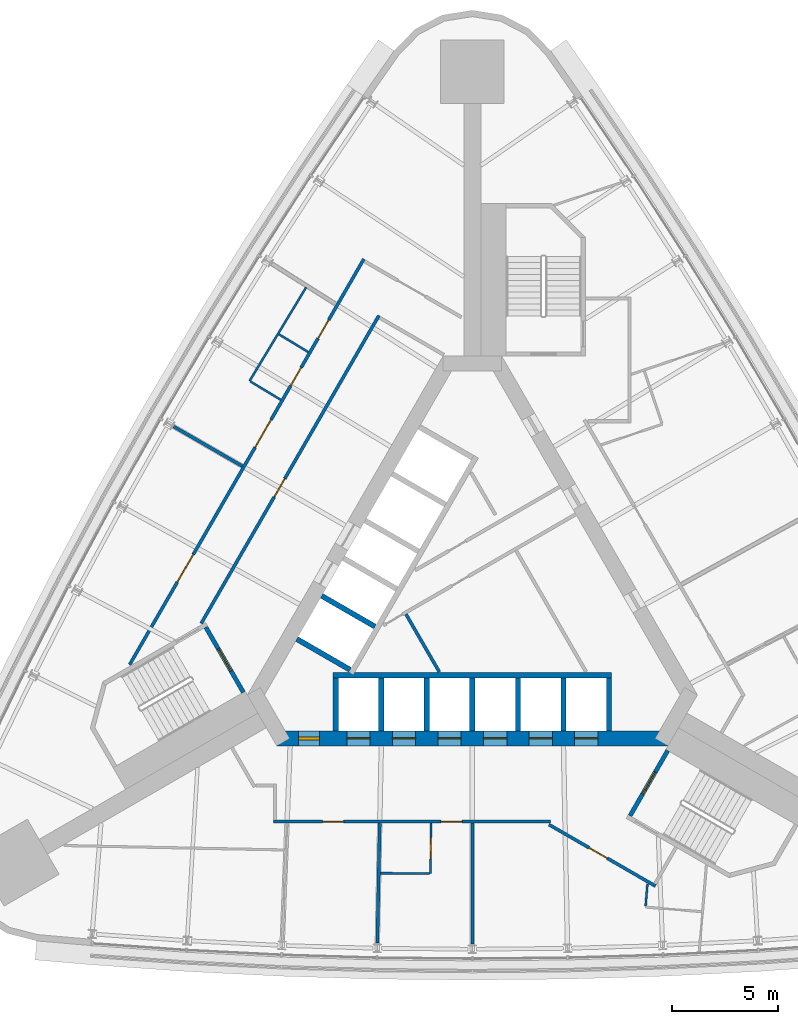
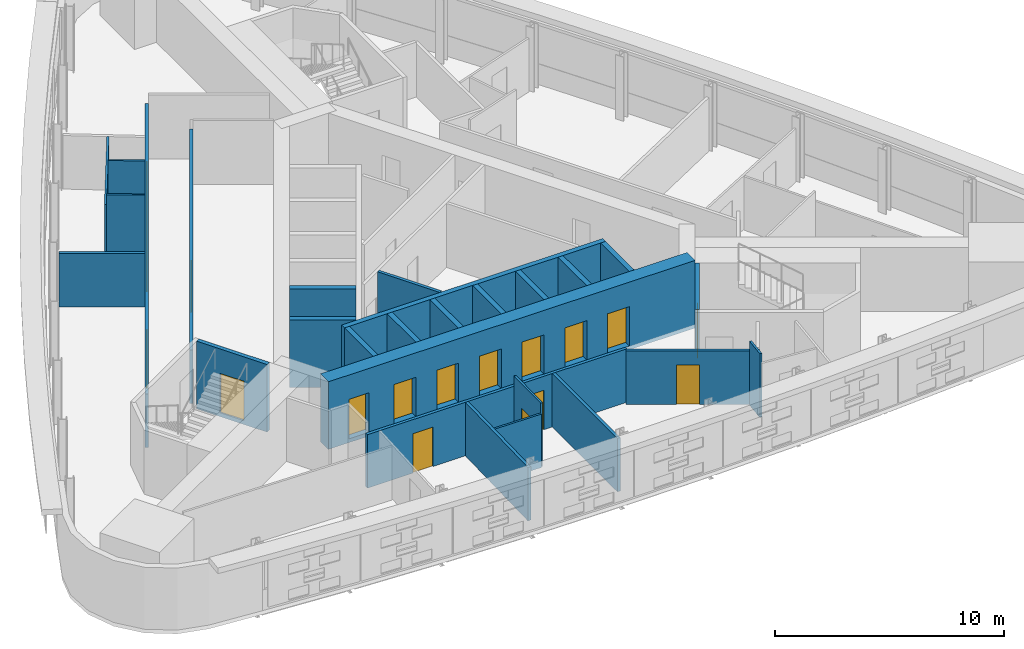
# One storey, part 7 of 11: 27 walls, 18 doors, 18 openings.
"""IFC4 building model written with IfcOpenShell, lengths in metres."""

from ifc_helpers import new_model, si_unit, direction, frame, frame_2d, origin, place, context, subcontext, project, spatial, rectangle, extrude, material, layer, layer_set, type_object, element, fill, save


model = new_model("IFC4")

# Units and contexts
model_context = context("Model", 3, precision=1e-05, world=origin(), true_north=direction((0.0, 1.0)))
body_context = subcontext(model_context, "Body", "Model", "MODEL_VIEW")
ifc_project = project(units=[si_unit("LENGTHUNIT", "METRE"), si_unit("AREAUNIT", "SQUARE_METRE"), si_unit("VOLUMEUNIT", "CUBIC_METRE"), si_unit("PLANEANGLEUNIT", "RADIAN"), si_unit("MASSUNIT", "GRAM", prefix="KILO")], contexts=[model_context])

# Site, building, storey
site_placement = place(None, origin())
site = spatial("IfcSite", under=ifc_project, at=site_placement, CompositionType="ELEMENT")
building_placement = place(site_placement, origin())
building = spatial("IfcBuilding", under=site, at=building_placement, Name="Noor Cloister Tower", CompositionType="ELEMENT")
storey_placement = place(building_placement, frame((0.0, 0.0, 109.5)))
storey = spatial("IfcBuildingStorey", under=building, at=storey_placement, Name="L28", CompositionType="ELEMENT", Elevation=109.5)

# Wall
ifc_material_1 = material(Name="Concrete C30/37", Category="concrete")
ifc_layer_1 = layer(ifc_material_1, 0.14990234375)
ifc_layer_set_1 = layer_set([ifc_layer_1], Name="Core partition 150 C30/37")
wall_type_1 = type_object("IfcWallType", Name="Core partition 150 C30/37", PredefinedType="PARTITIONING", material=ifc_layer_set_1)
wall_1_placement = place(storey_placement, frame((-1.561279296875, -3.439208984375, 0.0), z_axis=(0.0, 0.0, 1.0), x_axis=(-0.499989077369, 0.866031709877, 0.0)))
element("IfcWall", 1, at=wall_1_placement, inside=storey, type_object=wall_type_1, Name="Core room partition L28 3", PredefinedType="PARTITIONING", context=body_context, shape_type="SweptSolid", body=[
    extrude(rectangle(XDim=3.14404296875, YDim=0.14990234375, at=frame_2d((1.572021484375, 0.0))), origin(), (0.0, 0.0, 1.0), 3.39990234375),
])

# Wall, openings, doors
ifc_material_2 = material(Name="Concrete C80/95", Category="concrete")
ifc_layer_2 = layer(ifc_material_2, 0.699951171875)
ifc_layer_set_2 = layer_set([ifc_layer_2], Name="Core wall 700 C80/95")
wall_type_2 = type_object("IfcWallType", Name="Core wall 700 C80/95", PredefinedType="SHEAR", material=ifc_layer_set_2)
wall_2_placement = place(storey_placement, frame((-9.228759765625, -6.578125, -0.199951171875), z_axis=(0.0, 0.0, 1.0), x_axis=(1.0, 0.0, 0.0)))
wall_2 = element("IfcWall", 2, at=wall_2_placement, inside=storey, type_object=wall_type_2, Name="Core wall L28 1", PredefinedType="SHEAR", context=body_context, shape_type="SweptSolid", body=[
    extrude(rectangle(XDim=18.45751953125, YDim=0.699951171875, at=frame_2d((9.228759765625, 0.0))), origin(), (0.0, 0.0, 1.0), 3.599853515625),
])
opening_1_placement = place(wall_2_placement, frame((3.3037109375, 0.0, 0.199951171875)))
opening_1 = element("IfcOpeningElement", 3, at=opening_1_placement, cuts=wall_2, Name="Opening L28-LR1", PredefinedType="OPENING", context=body_context, shape_type="SweptSolid", body=[
    extrude(rectangle(XDim=1.10009765625, YDim=2.10009765625, at=frame_2d((0.550048828125, 1.050048828125))), frame((0.0, 0.35986328125, 0.0), z_axis=(0.0, -1.0, 0.0), x_axis=(1.0, 0.0, 0.0)), (0.0, 0.0, 1.0), 0.719970703125),
])
opening_2_placement = place(wall_2_placement, frame((5.45361328125, 0.0, 0.199951171875)))
opening_2 = element("IfcOpeningElement", 4, at=opening_2_placement, cuts=wall_2, Name="Opening L28-LR2", PredefinedType="OPENING", context=body_context, shape_type="SweptSolid", body=[
    extrude(rectangle(XDim=1.10009765625, YDim=2.10009765625, at=frame_2d((0.550048828125, 1.050048828125))), frame((0.0, 0.35986328125, 0.0), z_axis=(0.0, -1.0, 0.0), x_axis=(1.0, 0.0, 0.0)), (0.0, 0.0, 1.0), 0.719970703125),
])
opening_3_placement = place(wall_2_placement, frame((7.603759765625, 0.0, 0.199951171875)))
opening_3 = element("IfcOpeningElement", 5, at=opening_3_placement, cuts=wall_2, Name="Opening L28-LR3", PredefinedType="OPENING", context=body_context, shape_type="SweptSolid", body=[
    extrude(rectangle(XDim=1.10009765625, YDim=2.10009765625, at=frame_2d((0.550048828125, 1.050048828125))), frame((0.0, 0.35986328125, 0.0), z_axis=(0.0, -1.0, 0.0), x_axis=(1.0, 0.0, 0.0)), (0.0, 0.0, 1.0), 0.719970703125),
])
opening_4_placement = place(wall_2_placement, frame((9.753662109375, 0.0, 0.199951171875)))
opening_4 = element("IfcOpeningElement", 6, at=opening_4_placement, cuts=wall_2, Name="Opening L28-LR4", PredefinedType="OPENING", context=body_context, shape_type="SweptSolid", body=[
    extrude(rectangle(XDim=1.10009765625, YDim=2.10009765625, at=frame_2d((0.550048828125, 1.050048828125))), frame((0.0, 0.35986328125, 0.0), z_axis=(0.0, -1.0, 0.0), x_axis=(1.0, 0.0, 0.0)), (0.0, 0.0, 1.0), 0.719970703125),
])
opening_5_placement = place(wall_2_placement, frame((11.90380859375, 0.0, 0.199951171875)))
opening_5 = element("IfcOpeningElement", 7, at=opening_5_placement, cuts=wall_2, Name="Opening L28-LR5", PredefinedType="OPENING", context=body_context, shape_type="SweptSolid", body=[
    extrude(rectangle(XDim=1.10009765625, YDim=2.10009765625, at=frame_2d((0.550048828125, 1.050048828125))), frame((0.0, 0.35986328125, 0.0), z_axis=(0.0, -1.0, 0.0), x_axis=(1.0, 0.0, 0.0)), (0.0, 0.0, 1.0), 0.719970703125),
])
opening_6_placement = place(wall_2_placement, frame((14.0537109375, 0.0, 0.199951171875)))
opening_6 = element("IfcOpeningElement", 8, at=opening_6_placement, cuts=wall_2, Name="Opening L28-LR6", PredefinedType="OPENING", context=body_context, shape_type="SweptSolid", body=[
    extrude(rectangle(XDim=1.10009765625, YDim=2.10009765625, at=frame_2d((0.550048828125, 1.050048828125))), frame((0.0, 0.35986328125, 0.0), z_axis=(0.0, -1.0, 0.0), x_axis=(1.0, 0.0, 0.0)), (0.0, 0.0, 1.0), 0.719970703125),
])
opening_7_placement = place(wall_2_placement, frame((1.02880859375, 0.0, 0.199951171875)))
opening_7 = element("IfcOpeningElement", 9, at=opening_7_placement, cuts=wall_2, Name="Opening L28-907", PredefinedType="OPENING", context=body_context, shape_type="SweptSolid", body=[
    extrude(rectangle(XDim=1.0, YDim=2.10009765625, at=frame_2d((0.5, 1.050048828125))), frame((0.0, 0.35986328125, 0.0), z_axis=(0.0, -1.0, 0.0), x_axis=(1.0, 0.0, 0.0)), (0.0, 0.0, 1.0), 0.719970703125),
])
ifc_material_3 = material(Name="Steel", Category="steel")
door_type_1 = type_object("IfcDoorType", Name="Core door 1000 x 2100 FD60", OperationType="SINGLE_SWING_LEFT", PredefinedType="DOOR", material=ifc_material_3)
door_1_placement = place(opening_7_placement, origin())
door_1 = element("IfcDoor", 10, at=door_1_placement, inside=storey, type_object=door_type_1, Name="Core door 7 L28", OperationType="SINGLE_SWING_LEFT", OverallHeight=2.10009765625, OverallWidth=1.0, PredefinedType="DOOR", context=body_context, shape_type="SweptSolid", body=[
    extrude(rectangle(XDim=1.0, YDim=2.10009765625, at=frame_2d((0.5, 1.050048828125))), frame((0.0, 0.074951171875, 0.0), z_axis=(0.0, -1.0, 0.0), x_axis=(1.0, 0.0, 0.0)), (0.0, 0.0, 1.0), 0.14990234375),
])
fill(opening_7, door_1)
ifc_material_4 = material(Name="Stainless steel", Category="steel")
door_type_2 = type_object("IfcDoorType", Name="Lift landing door 1100 x 2100", OperationType="DOUBLE_DOOR_SLIDING", PredefinedType="DOOR", material=ifc_material_4)
door_2_placement = place(opening_1_placement, origin())
door_2 = element("IfcDoor", 11, at=door_2_placement, inside=storey, type_object=door_type_2, Name="Landing door LR1 L28", OperationType="DOUBLE_DOOR_SLIDING", OverallHeight=2.10009765625, OverallWidth=1.10009765625, PredefinedType="DOOR", context=body_context, shape_type="SweptSolid", body=[
    extrude(rectangle(XDim=1.10009765625, YDim=2.10009765625, at=frame_2d((0.550048828125, 1.050048828125))), frame((0.0, 0.02490234375, 0.0), z_axis=(0.0, -1.0, 0.0), x_axis=(1.0, 0.0, 0.0)), (0.0, 0.0, 1.0), 0.050048828125),
])
fill(opening_1, door_2)
door_3_placement = place(opening_2_placement, origin())
door_3 = element("IfcDoor", 12, at=door_3_placement, inside=storey, type_object=door_type_2, Name="Landing door LR2 L28", OperationType="DOUBLE_DOOR_SLIDING", OverallHeight=2.10009765625, OverallWidth=1.10009765625, PredefinedType="DOOR", context=body_context, shape_type="SweptSolid", body=[
    extrude(rectangle(XDim=1.10009765625, YDim=2.10009765625, at=frame_2d((0.550048828125, 1.050048828125))), frame((0.0, 0.02490234375, 0.0), z_axis=(0.0, -1.0, 0.0), x_axis=(1.0, 0.0, 0.0)), (0.0, 0.0, 1.0), 0.050048828125),
])
fill(opening_2, door_3)
door_4_placement = place(opening_3_placement, origin())
door_4 = element("IfcDoor", 13, at=door_4_placement, inside=storey, type_object=door_type_2, Name="Landing door LR3 L28", OperationType="DOUBLE_DOOR_SLIDING", OverallHeight=2.10009765625, OverallWidth=1.10009765625, PredefinedType="DOOR", context=body_context, shape_type="SweptSolid", body=[
    extrude(rectangle(XDim=1.10009765625, YDim=2.10009765625, at=frame_2d((0.550048828125, 1.050048828125))), frame((0.0, 0.02490234375, 0.0), z_axis=(0.0, -1.0, 0.0), x_axis=(1.0, 0.0, 0.0)), (0.0, 0.0, 1.0), 0.050048828125),
])
fill(opening_3, door_4)
door_5_placement = place(opening_4_placement, origin())
door_5 = element("IfcDoor", 14, at=door_5_placement, inside=storey, type_object=door_type_2, Name="Landing door LR4 L28", OperationType="DOUBLE_DOOR_SLIDING", OverallHeight=2.10009765625, OverallWidth=1.10009765625, PredefinedType="DOOR", context=body_context, shape_type="SweptSolid", body=[
    extrude(rectangle(XDim=1.10009765625, YDim=2.10009765625, at=frame_2d((0.550048828125, 1.050048828125))), frame((0.0, 0.02490234375, 0.0), z_axis=(0.0, -1.0, 0.0), x_axis=(1.0, 0.0, 0.0)), (0.0, 0.0, 1.0), 0.050048828125),
])
fill(opening_4, door_5)
door_6_placement = place(opening_5_placement, origin())
door_6 = element("IfcDoor", 15, at=door_6_placement, inside=storey, type_object=door_type_2, Name="Landing door LR5 L28", OperationType="DOUBLE_DOOR_SLIDING", OverallHeight=2.10009765625, OverallWidth=1.10009765625, PredefinedType="DOOR", context=body_context, shape_type="SweptSolid", body=[
    extrude(rectangle(XDim=1.10009765625, YDim=2.10009765625, at=frame_2d((0.550048828125, 1.050048828125))), frame((0.0, 0.02490234375, 0.0), z_axis=(0.0, -1.0, 0.0), x_axis=(1.0, 0.0, 0.0)), (0.0, 0.0, 1.0), 0.050048828125),
])
fill(opening_5, door_6)
door_7_placement = place(opening_6_placement, origin())
door_7 = element("IfcDoor", 16, at=door_7_placement, inside=storey, type_object=door_type_2, Name="Landing door LR6 L28", OperationType="DOUBLE_DOOR_SLIDING", OverallHeight=2.10009765625, OverallWidth=1.10009765625, PredefinedType="DOOR", context=body_context, shape_type="SweptSolid", body=[
    extrude(rectangle(XDim=1.10009765625, YDim=2.10009765625, at=frame_2d((0.550048828125, 1.050048828125))), frame((0.0, 0.02490234375, 0.0), z_axis=(0.0, -1.0, 0.0), x_axis=(1.0, 0.0, 0.0)), (0.0, 0.0, 1.0), 0.050048828125),
])
fill(opening_6, door_7)

# Wall, opening, door
ifc_material_5 = material(Name="Fire-rated gypsum board partition on steel studs, 150 mm", Category="steel")
ifc_layer_3 = layer(ifc_material_5, 0.14990234375)
ifc_layer_set_3 = layer_set([ifc_layer_3], Name="Fire lobby wall 150")
wall_type_3 = type_object("IfcWallType", Name="Fire lobby wall 150", PredefinedType="PARTITIONING", material=ifc_layer_set_3)
wall_3_placement = place(storey_placement, frame((-4.40673828125, 13.373779296875, 0.0), z_axis=(0.0, 0.0, 1.0), x_axis=(-0.499997181693, -0.866027030928, 0.0)))
wall_3 = element("IfcWall", 17, at=wall_3_placement, inside=storey, type_object=wall_type_3, Name="Fire lobby wall 150 L28 002", PredefinedType="PARTITIONING", context=body_context, shape_type="SweptSolid", body=[
    extrude(rectangle(XDim=16.76953125, YDim=0.14990234375, at=frame_2d((8.384765625, 0.0))), origin(), (0.0, 0.0, 1.0), 2.846923828125),
])
opening_8_placement = place(wall_3_placement, frame((8.878662109375, 0.0, 0.0)))
opening_8 = element("IfcOpeningElement", 18, at=opening_8_placement, cuts=wall_3, Name="Opening L28-005", PredefinedType="OPENING", context=body_context, shape_type="SweptSolid", body=[
    extrude(rectangle(XDim=1.0, YDim=2.10009765625, at=frame_2d((0.5, 1.050048828125))), frame((0.0, 0.0849609375, 0.0), z_axis=(0.0, -1.0, 0.0), x_axis=(1.0, 0.0, 0.0)), (0.0, 0.0, 1.0), 0.169921875),
])
ifc_material_6 = material(Name="Timber door leaf with steel frame", Category="steel")
door_type_3 = type_object("IfcDoorType", Name="Fire lobby door 1000", OperationType="NOTDEFINED", PredefinedType="DOOR", material=ifc_material_6)
door_8_placement = place(opening_8_placement, origin())
door_8 = element("IfcDoor", 19, at=door_8_placement, inside=storey, type_object=door_type_3, Name="Fire lobby door 1000 L28-005", OperationType="SINGLE_SWING_RIGHT", OverallHeight=2.10009765625, OverallWidth=1.0, PredefinedType="DOOR", context=body_context, shape_type="SweptSolid", body=[
    extrude(rectangle(XDim=1.0, YDim=2.10009765625, at=frame_2d((0.5, 1.050048828125))), frame((0.0, 0.02490234375, 0.0), z_axis=(0.0, -1.0, 0.0), x_axis=(1.0, 0.0, 0.0)), (0.0, 0.0, 1.0), 0.050048828125),
])
fill(opening_8, door_8)

# Wall, openings, doors
ifc_material_7 = material(Name="Gypsum board partition on steel studs, 150 mm", Category="steel")
ifc_layer_4 = layer(ifc_material_7, 0.14990234375)
ifc_layer_set_4 = layer_set([ifc_layer_4], Name="Flat wall 150")
wall_type_4 = type_object("IfcWallType", Name="Flat wall 150", PredefinedType="PARTITIONING", material=ifc_layer_set_4)
wall_4_placement = place(storey_placement, frame((-16.1689453125, -3.09912109375, 0.0), z_axis=(0.0, 0.0, 1.0), x_axis=(0.499999805269, 0.866025516212, 0.0)))
wall_4 = element("IfcWall", 20, at=wall_4_placement, inside=storey, type_object=wall_type_4, Name="Flat wall 150 L28 001", PredefinedType="PARTITIONING", context=body_context, shape_type="SweptSolid", body=[
    extrude(rectangle(XDim=22.09716796875, YDim=0.14990234375, at=frame_2d((11.048583984375, 0.0))), origin(), (0.0, 0.0, 1.0), 2.846923828125),
])
opening_9_placement = place(wall_4_placement, frame((17.77587890625, 0.0, 0.0)))
opening_9 = element("IfcOpeningElement", 21, at=opening_9_placement, cuts=wall_4, Name="Opening L28-001", PredefinedType="OPENING", context=body_context, shape_type="SweptSolid", body=[
    extrude(rectangle(XDim=1.0, YDim=2.10009765625, at=frame_2d((0.5, 1.050048828125))), frame((0.0, 0.0849609375, 0.0), z_axis=(0.0, -1.0, 0.0), x_axis=(1.0, 0.0, 0.0)), (0.0, 0.0, 1.0), 0.169921875),
])
opening_10_placement = place(wall_4_placement, frame((15.186279296875, 0.0, 0.0)))
opening_10 = element("IfcOpeningElement", 22, at=opening_10_placement, cuts=wall_4, Name="Opening L28-002", PredefinedType="OPENING", context=body_context, shape_type="SweptSolid", body=[
    extrude(rectangle(XDim=1.0, YDim=2.10009765625, at=frame_2d((0.5, 1.050048828125))), frame((0.0, 0.0849609375, 0.0), z_axis=(0.0, -1.0, 0.0), x_axis=(1.0, 0.0, 0.0)), (0.0, 0.0, 1.0), 0.169921875),
])
opening_11_placement = place(wall_4_placement, frame((11.83984375, 0.0, 0.0)))
opening_11 = element("IfcOpeningElement", 23, at=opening_11_placement, cuts=wall_4, Name="Opening L28-003", PredefinedType="OPENING", context=body_context, shape_type="SweptSolid", body=[
    extrude(rectangle(XDim=1.5, YDim=2.10009765625, at=frame_2d((0.75, 1.050048828125))), frame((0.0, 0.0849609375, 0.0), z_axis=(0.0, -1.0, 0.0), x_axis=(1.0, 0.0, 0.0)), (0.0, 0.0, 1.0), 0.169921875),
])
opening_12_placement = place(wall_4_placement, frame((4.50341796875, 0.0, 0.0)))
opening_12 = element("IfcOpeningElement", 24, at=opening_12_placement, cuts=wall_4, Name="Opening L28-004", PredefinedType="OPENING", context=body_context, shape_type="SweptSolid", body=[
    extrude(rectangle(XDim=1.5, YDim=2.10009765625, at=frame_2d((0.75, 1.050048828125))), frame((0.0, 0.0849609375, 0.0), z_axis=(0.0, -1.0, 0.0), x_axis=(1.0, 0.0, 0.0)), (0.0, 0.0, 1.0), 0.169921875),
])
ifc_material_8 = material(Name="Timber door leaf with steel frame", Category="steel")
door_type_4 = type_object("IfcDoorType", Name="Accessible WC door 1000", OperationType="NOTDEFINED", PredefinedType="DOOR", material=ifc_material_8)
door_9_placement = place(opening_9_placement, origin())
door_9 = element("IfcDoor", 25, at=door_9_placement, inside=storey, type_object=door_type_4, Name="Accessible WC door 1000 L28-001", OperationType="SINGLE_SWING_RIGHT", OverallHeight=2.10009765625, OverallWidth=1.0, PredefinedType="DOOR", context=body_context, shape_type="SweptSolid", body=[
    extrude(rectangle(XDim=1.0, YDim=2.10009765625, at=frame_2d((0.5, 1.050048828125))), frame((0.0, 0.02490234375, 0.0), z_axis=(0.0, -1.0, 0.0), x_axis=(1.0, 0.0, 0.0)), (0.0, 0.0, 1.0), 0.050048828125),
])
fill(opening_9, door_9)
ifc_material_9 = material(Name="Timber door leaf with steel frame", Category="steel")
door_type_5 = type_object("IfcDoorType", Name="Double door 1500 FD60", OperationType="NOTDEFINED", PredefinedType="DOOR", material=ifc_material_9)
door_10_placement = place(opening_11_placement, origin())
door_10 = element("IfcDoor", 26, at=door_10_placement, inside=storey, type_object=door_type_5, Name="Double door 1500 L28-003", OperationType="DOUBLE_DOOR_SINGLE_SWING", OverallHeight=2.10009765625, OverallWidth=1.5, PredefinedType="DOOR", context=body_context, shape_type="SweptSolid", body=[
    extrude(rectangle(XDim=1.5, YDim=2.10009765625, at=frame_2d((0.75, 1.050048828125))), frame((0.0, 0.02490234375, 0.0), z_axis=(0.0, -1.0, 0.0), x_axis=(1.0, 0.0, 0.0)), (0.0, 0.0, 1.0), 0.050048828125),
])
fill(opening_11, door_10)
door_11_placement = place(opening_12_placement, origin())
door_11 = element("IfcDoor", 27, at=door_11_placement, inside=storey, type_object=door_type_5, Name="Double door 1500 L28-004", OperationType="DOUBLE_DOOR_SINGLE_SWING", OverallHeight=2.10009765625, OverallWidth=1.5, PredefinedType="DOOR", context=body_context, shape_type="SweptSolid", body=[
    extrude(rectangle(XDim=1.5, YDim=2.10009765625, at=frame_2d((0.75, 1.050048828125))), frame((0.0, 0.02490234375, 0.0), z_axis=(0.0, -1.0, 0.0), x_axis=(1.0, 0.0, 0.0)), (0.0, 0.0, 1.0), 0.050048828125),
])
fill(opening_12, door_11)
ifc_material_10 = material(Name="Timber door leaf with steel frame", Category="steel")
door_type_6 = type_object("IfcDoorType", Name="Interior door 1000 FD60", OperationType="NOTDEFINED", PredefinedType="DOOR", material=ifc_material_10)
door_12_placement = place(opening_10_placement, origin())
door_12 = element("IfcDoor", 28, at=door_12_placement, inside=storey, type_object=door_type_6, Name="Interior door 1000 L28-002", OperationType="SINGLE_SWING_RIGHT", OverallHeight=2.10009765625, OverallWidth=1.0, PredefinedType="DOOR", context=body_context, shape_type="SweptSolid", body=[
    extrude(rectangle(XDim=1.0, YDim=2.10009765625, at=frame_2d((0.5, 1.050048828125))), frame((0.0, 0.02490234375, 0.0), z_axis=(0.0, -1.0, 0.0), x_axis=(1.0, 0.0, 0.0)), (0.0, 0.0, 1.0), 0.050048828125),
])
fill(opening_10, door_12)

wall_5_placement = place(storey_placement, frame((3.68896484375, -10.503173828125, 0.0), z_axis=(0.0, 0.0, 1.0), x_axis=(-1.0, 0.0, 0.0)))
wall_5 = element("IfcWall", 29, at=wall_5_placement, inside=storey, type_object=wall_type_4, Name="Flat wall 150 L28 004", PredefinedType="PARTITIONING", context=body_context, shape_type="SweptSolid", body=[
    extrude(rectangle(XDim=13.067626953125, YDim=0.14990234375, at=frame_2d((6.53369140625, 0.0))), origin(), (0.0, 0.0, 1.0), 2.846923828125),
])
opening_13_placement = place(wall_5_placement, frame((9.75830078125, 0.0, 0.0)))
opening_13 = element("IfcOpeningElement", 30, at=opening_13_placement, cuts=wall_5, Name="Opening L28-008", PredefinedType="OPENING", context=body_context, shape_type="SweptSolid", body=[
    extrude(rectangle(XDim=1.0, YDim=2.10009765625, at=frame_2d((0.5, 1.050048828125))), frame((0.0, 0.0849609375, 0.0), z_axis=(0.0, -1.0, 0.0), x_axis=(1.0, 0.0, 0.0)), (0.0, 0.0, 1.0), 0.169921875),
])
opening_14_placement = place(wall_5_placement, frame((4.177490234375, 0.0, 0.0)))
opening_14 = element("IfcOpeningElement", 31, at=opening_14_placement, cuts=wall_5, Name="Opening L28-009", PredefinedType="OPENING", context=body_context, shape_type="SweptSolid", body=[
    extrude(rectangle(XDim=1.0, YDim=2.10009765625, at=frame_2d((0.5, 1.050048828125))), frame((0.0, 0.0849609375, 0.0), z_axis=(0.0, -1.0, 0.0), x_axis=(1.0, 0.0, 0.0)), (0.0, 0.0, 1.0), 0.169921875),
])
ifc_material_11 = material(Name="Timber door leaf with steel frame", Category="steel")
door_type_7 = type_object("IfcDoorType", Name="Flat entrance door 1000 FD60S", OperationType="NOTDEFINED", PredefinedType="DOOR", material=ifc_material_11)
door_13_placement = place(opening_13_placement, origin())
door_13 = element("IfcDoor", 32, at=door_13_placement, inside=storey, type_object=door_type_7, Name="Flat entrance door 1000 L28-008", OperationType="SINGLE_SWING_RIGHT", OverallHeight=2.10009765625, OverallWidth=1.0, PredefinedType="DOOR", context=body_context, shape_type="SweptSolid", body=[
    extrude(rectangle(XDim=1.0, YDim=2.10009765625, at=frame_2d((0.5, 1.050048828125))), frame((0.0, 0.02490234375, 0.0), z_axis=(0.0, -1.0, 0.0), x_axis=(1.0, 0.0, 0.0)), (0.0, 0.0, 1.0), 0.050048828125),
])
fill(opening_13, door_13)
door_14_placement = place(opening_14_placement, origin())
door_14 = element("IfcDoor", 33, at=door_14_placement, inside=storey, type_object=door_type_7, Name="Flat entrance door 1000 L28-009", OperationType="SINGLE_SWING_LEFT", OverallHeight=2.10009765625, OverallWidth=1.0, PredefinedType="DOOR", context=body_context, shape_type="SweptSolid", body=[
    extrude(rectangle(XDim=1.0, YDim=2.10009765625, at=frame_2d((0.5, 1.050048828125))), frame((0.0, 0.02490234375, 0.0), z_axis=(0.0, -1.0, 0.0), x_axis=(1.0, 0.0, 0.0)), (0.0, 0.0, 1.0), 0.050048828125),
])
fill(opening_14, door_14)

# Wall, opening, door
wall_6_placement = place(storey_placement, frame((8.64111328125, -13.5458984375, 0.0), z_axis=(0.0, 0.0, 1.0), x_axis=(-0.866042728627, 0.499969991291, 0.0)))
wall_6 = element("IfcWall", 34, at=wall_6_placement, inside=storey, type_object=wall_type_4, Name="Flat wall 150 L28 005", PredefinedType="PARTITIONING", context=body_context, shape_type="SweptSolid", body=[
    extrude(rectangle(XDim=5.805419921875, YDim=0.14990234375, at=frame_2d((2.90283203125, 0.0))), origin(), (0.0, 0.0, 1.0), 2.846923828125),
])
opening_15_placement = place(wall_6_placement, frame((2.6162109375, 0.0, 0.0)))
opening_15 = element("IfcOpeningElement", 35, at=opening_15_placement, cuts=wall_6, Name="Opening L28-010", PredefinedType="OPENING", context=body_context, shape_type="SweptSolid", body=[
    extrude(rectangle(XDim=1.0, YDim=2.10009765625, at=frame_2d((0.5, 1.050048828125))), frame((0.0, 0.0849609375, 0.0), z_axis=(0.0, -1.0, 0.0), x_axis=(1.0, 0.0, 0.0)), (0.0, 0.0, 1.0), 0.169921875),
])
door_15_placement = place(opening_15_placement, origin())
door_15 = element("IfcDoor", 36, at=door_15_placement, inside=storey, type_object=door_type_7, Name="Flat entrance door 1000 L28-010", OperationType="SINGLE_SWING_RIGHT", OverallHeight=2.10009765625, OverallWidth=1.0, PredefinedType="DOOR", context=body_context, shape_type="SweptSolid", body=[
    extrude(rectangle(XDim=1.0, YDim=2.10009765625, at=frame_2d((0.5, 1.050048828125))), frame((0.0, 0.02490234375, 0.0), z_axis=(0.0, -1.0, 0.0), x_axis=(1.0, 0.0, 0.0)), (0.0, 0.0, 1.0), 0.050048828125),
])
fill(opening_15, door_15)

# Walls
wall_7_placement = place(storey_placement, frame((0.0, -16.2744140625, 0.0), z_axis=(0.0, 0.0, 1.0), x_axis=(0.0, 1.0, 0.0)))
element("IfcWall", 37, at=wall_7_placement, inside=storey, type_object=wall_type_4, Name="Flat wall 150 L28 017", PredefinedType="PARTITIONING", context=body_context, shape_type="SweptSolid", body=[
    extrude(rectangle(XDim=5.6962890625, YDim=0.14990234375, at=frame_2d((2.84814453125, 0.0))), origin(), (0.0, 0.0, 1.0), 2.846923828125),
])
wall_8_placement = place(storey_placement, frame((-4.483642578125, -16.2294921875, 0.0), z_axis=(0.0, 0.0, 1.0), x_axis=(0.020089281754, 0.999798190016, 0.0)))
element("IfcWall", 38, at=wall_8_placement, inside=storey, type_object=wall_type_4, Name="Flat wall 150 L28 018", PredefinedType="PARTITIONING", context=body_context, shape_type="SweptSolid", body=[
    extrude(rectangle(XDim=5.651123046875, YDim=0.14990234375, at=frame_2d((2.82568359375, 0.0))), origin(), (0.0, 0.0, 1.0), 2.846923828125),
])
wall_9_placement = place(storey_placement, frame((-14.093994140625, 8.13720703125, 0.0), z_axis=(0.0, 0.0, 1.0), x_axis=(0.866036909293, -0.499980071345, 0.0)))
element("IfcWall", 39, at=wall_9_placement, inside=storey, type_object=wall_type_4, Name="Flat wall 150 L28 019", PredefinedType="PARTITIONING", context=body_context, shape_type="SweptSolid", body=[
    extrude(rectangle(XDim=3.746337890625, YDim=0.14990234375, at=frame_2d((1.873046875, 0.0))), origin(), (0.0, 0.0, 1.0), 2.846923828125),
])
ifc_material_12 = material(Name="Gypsum board partition on steel studs, 100 mm", Category="steel")
ifc_layer_5 = layer(ifc_material_12, 0.10009765625)
ifc_layer_set_5 = layer_set([ifc_layer_5], Name="Partition 100")
wall_type_5 = type_object("IfcWallType", Name="Partition 100", PredefinedType="PARTITIONING", material=ifc_layer_set_5)
wall_10_placement = place(storey_placement, frame((-7.842041015625, 14.70166015625, 0.0), z_axis=(0.0, 0.0, 1.0), x_axis=(-0.517269453202, -0.855822594224, 0.0)))
element("IfcWall", 40, at=wall_10_placement, inside=storey, type_object=wall_type_5, Name="Partition 100 L28 025", PredefinedType="PARTITIONING", context=body_context, shape_type="SweptSolid", body=[
    extrude(rectangle(XDim=5.15966796875, YDim=0.10009765625, at=frame_2d((2.579833984375, 0.0))), origin(), (0.0, 0.0, 1.0), 2.846923828125),
])

# Wall, opening, door
wall_11_placement = place(storey_placement, frame((-1.9755859375, -12.959228515625, 0.0), z_axis=(0.0, 0.0, 1.0), x_axis=(0.009947205513, 0.999950525327, 0.0)))
wall_11 = element("IfcWall", 41, at=wall_11_placement, inside=storey, type_object=wall_type_5, Name="Partition 100 L28 033", PredefinedType="PARTITIONING", context=body_context, shape_type="SweptSolid", body=[
    extrude(rectangle(XDim=2.380615234375, YDim=0.10009765625, at=frame_2d((1.1904296875, 0.0))), origin(), (0.0, 0.0, 1.0), 3.39990234375),
])
opening_16_placement = place(wall_11_placement, frame((0.699951171875, 0.0, 0.0)))
opening_16 = element("IfcOpeningElement", 42, at=opening_16_placement, cuts=wall_11, Name="Opening L28-022", PredefinedType="OPENING", context=body_context, shape_type="SweptSolid", body=[
    extrude(rectangle(XDim=1.0, YDim=2.10009765625, at=frame_2d((0.5, 1.050048828125))), frame((0.0, 0.06005859375, 0.0), z_axis=(0.0, -1.0, 0.0), x_axis=(1.0, 0.0, 0.0)), (0.0, 0.0, 1.0), 0.1201171875),
])
ifc_material_13 = material(Name="Timber door leaf with steel frame", Category="steel")
door_type_8 = type_object("IfcDoorType", Name="Interior door 1000", OperationType="NOTDEFINED", PredefinedType="DOOR", material=ifc_material_13)
door_16_placement = place(opening_16_placement, origin())
door_16 = element("IfcDoor", 43, at=door_16_placement, inside=storey, type_object=door_type_8, Name="Interior door 1000 L28-022", OperationType="SINGLE_SWING_RIGHT", OverallHeight=2.10009765625, OverallWidth=1.0, PredefinedType="DOOR", context=body_context, shape_type="SweptSolid", body=[
    extrude(rectangle(XDim=1.0, YDim=2.10009765625, at=frame_2d((0.5, 1.050048828125))), frame((0.0, 0.02490234375, 0.0), z_axis=(0.0, -1.0, 0.0), x_axis=(1.0, 0.0, 0.0)), (0.0, 0.0, 1.0), 0.050048828125),
])
fill(opening_16, door_16)

# Walls
wall_12_placement = place(storey_placement, frame((-4.342041015625, -12.935546875, 0.0), z_axis=(0.0, 0.0, 1.0), x_axis=(0.999949877213, -0.010012145693, 0.0)))
element("IfcWall", 44, at=wall_12_placement, inside=storey, type_object=wall_type_5, Name="Partition 100 L28 034", PredefinedType="PARTITIONING", context=body_context, shape_type="SweptSolid", body=[
    extrude(rectangle(XDim=2.31640625, YDim=0.10009765625, at=frame_2d((1.158203125, 0.0))), origin(), (0.0, 0.0, 1.0), 2.846923828125),
])
wall_13_placement = place(storey_placement, frame((-10.46826171875, 10.260009765625, 0.0), z_axis=(0.0, 0.0, 1.0), x_axis=(0.855795319679, -0.517314576264, 0.0)))
element("IfcWall", 45, at=wall_13_placement, inside=storey, type_object=wall_type_5, Name="Partition 100 L28 035", PredefinedType="PARTITIONING", context=body_context, shape_type="SweptSolid", body=[
    extrude(rectangle(XDim=1.6669921875, YDim=0.10009765625, at=frame_2d((0.83349609375, 0.0))), origin(), (0.0, 0.0, 1.0), 3.39990234375),
])
wall_14_placement = place(storey_placement, frame((-9.123291015625, 12.485107421875, 0.0), z_axis=(0.0, 0.0, 1.0), x_axis=(0.855820717892, -0.517272557581, 0.0)))
element("IfcWall", 46, at=wall_14_placement, inside=storey, type_object=wall_type_5, Name="Partition 100 L28 036", PredefinedType="PARTITIONING", context=body_context, shape_type="SweptSolid", body=[
    extrude(rectangle(XDim=1.61474609375, YDim=0.10009765625, at=frame_2d((0.807373046875, 0.0))), origin(), (0.0, 0.0, 1.0), 3.39990234375),
])
wall_15_placement = place(storey_placement, frame((8.259033203125, -13.4365234375, 0.0), z_axis=(0.0, 0.0, 1.0), x_axis=(-0.082180892167, -0.99661742959, 0.0)))
element("IfcWall", 47, at=wall_15_placement, inside=storey, type_object=wall_type_5, Name="Partition 100 L28 037", PredefinedType="PARTITIONING", context=body_context, shape_type="SweptSolid", body=[
    extrude(rectangle(XDim=1.0517578125, YDim=0.10009765625, at=frame_2d((0.52587890625, 0.0))), origin(), (0.0, 0.0, 1.0), 3.39990234375),
])
ifc_material_14 = material(Name="Concrete C80/95", Category="concrete")
ifc_layer_6 = layer(ifc_material_14, 0.25)
ifc_layer_set_6 = layer_set([ifc_layer_6], Name="Shaft wall 250 C80/95")
wall_type_6 = type_object("IfcWallType", Name="Shaft wall 250 C80/95", PredefinedType="PARTITIONING", material=ifc_layer_set_6)
for number, where, z_axis, x_axis, name in (
    (48, (-6.449951171875, -6.228271484375, -0.199951171875), (0.0, 0.0, 1.0), (0.0, 1.0, 0.0), "Lift shaft wall L28 S 1"),
    (49, (-4.300048828125, -6.228271484375, -0.199951171875), (0.0, 0.0, 1.0), (0.0, 1.0, 0.0), "Lift shaft wall L28 S 2"),
    (50, (-2.14990234375, -6.228271484375, -0.199951171875), (0.0, 0.0, 1.0), (0.0, 1.0, 0.0), "Lift shaft wall L28 S 3"),
    (51, (0.0, -6.228271484375, -0.199951171875), (0.0, 0.0, 1.0), (0.0, 1.0, 0.0), "Lift shaft wall L28 S 4"),
    (52, (2.14990234375, -6.228271484375, -0.199951171875), (0.0, 0.0, 1.0), (0.0, 1.0, 0.0), "Lift shaft wall L28 S 5"),
    (53, (4.300048828125, -6.228271484375, -0.199951171875), (0.0, 0.0, 1.0), (0.0, 1.0, 0.0), "Lift shaft wall L28 S 6"),
    (54, (6.449951171875, -6.228271484375, -0.199951171875), (0.0, 0.0, 1.0), (0.0, 1.0, 0.0), "Lift shaft wall L28 S 7"),
):
    element("IfcWall", number, at=place(storey_placement, frame(where, z_axis=z_axis, x_axis=x_axis)), inside=storey, type_object=wall_type_6, Name=name, PredefinedType="PARTITIONING", context=body_context, shape_type="SweptSolid", body=[
        extrude(rectangle(XDim=2.5, YDim=0.25, at=frame_2d((1.25, 0.0))), origin(), (0.0, 0.0, 1.0), 3.599853515625),
    ])
wall_16_placement = place(storey_placement, frame((-6.574951171875, -3.603271484375, 0.0), z_axis=(0.0, 0.0, 1.0), x_axis=(1.0, 0.0, 0.0)))
element("IfcWall", 55, at=wall_16_placement, inside=storey, type_object=wall_type_6, Name="Lift shaft back wall L28 S", PredefinedType="PARTITIONING", context=body_context, shape_type="SweptSolid", body=[
    extrude(rectangle(XDim=13.14990234375, YDim=0.25, at=frame_2d((6.574951171875, 0.0))), origin(), (0.0, 0.0, 1.0), 3.39990234375),
])
for number, where, z_axis, x_axis, name in (
    (56, (-7.106201171875, 0.14794921875, -0.199951171875), (0.0, 0.0, 1.0), (0.866032775405, -0.499987231761, 0.0), "Lift shaft wall L28 NW 5"),
    (57, (-8.28125, -1.88720703125, -0.199951171875), (0.0, 0.0, 1.0), (0.866032775405, -0.499987231761, 0.0), "Lift shaft wall L28 NW 6"),
):
    element("IfcWall", number, at=place(storey_placement, frame(where, z_axis=z_axis, x_axis=x_axis)), inside=storey, type_object=wall_type_6, Name=name, PredefinedType="PARTITIONING", context=body_context, shape_type="SweptSolid", body=[
        extrude(rectangle(XDim=2.89990234375, YDim=0.25, at=frame_2d((1.449951171875, 0.0))), origin(), (0.0, 0.0, 1.0), 3.599853515625),
    ])

# Wall, opening, door
ifc_material_15 = material(Name="Concrete C80/95", Category="concrete")
ifc_layer_7 = layer(ifc_material_15, 0.199951171875)
ifc_layer_set_7 = layer_set([ifc_layer_7], Name="Stair enclosure wall 200 C80/95")
wall_type_7 = type_object("IfcWallType", Name="Stair enclosure wall 200 C80/95", PredefinedType="SHEAR", material=ifc_layer_set_7)
wall_17_placement = place(storey_placement, frame((-12.575927734375, -1.33056640625, -0.199951171875), z_axis=(0.0, 0.0, 1.0), x_axis=(0.499970499736, -0.8660424351, 0.0)))
wall_17 = element("IfcWall", 58, at=wall_17_placement, inside=storey, type_object=wall_type_7, Name="Stair enclosure wall ST2 L28 near end", PredefinedType="SHEAR", context=body_context, shape_type="SweptSolid", body=[
    extrude(rectangle(XDim=3.550048828125, YDim=0.199951171875, at=frame_2d((1.77490234375, 0.0))), origin(), (0.0, 0.0, 1.0), 3.599853515625),
])
opening_17_placement = place(wall_17_placement, frame((1.175048828125, 0.0, 0.199951171875)))
opening_17 = element("IfcOpeningElement", 59, at=opening_17_placement, cuts=wall_17, Name="Opening L28-ST2L", PredefinedType="OPENING", context=body_context, shape_type="SweptSolid", body=[
    extrude(rectangle(XDim=1.199951171875, YDim=2.10009765625, at=frame_2d((0.60009765625, 1.050048828125))), frame((0.0, 0.10986328125, 0.0), z_axis=(0.0, -1.0, 0.0), x_axis=(1.0, 0.0, 0.0)), (0.0, 0.0, 1.0), 0.219970703125),
])
ifc_material_16 = material(Name="Steel", Category="steel")
door_type_9 = type_object("IfcDoorType", Name="Stair door 1200 x 2100 FD120", OperationType="SINGLE_SWING_LEFT", PredefinedType="DOOR", material=ifc_material_16)
door_17_placement = place(opening_17_placement, origin())
door_17 = element("IfcDoor", 60, at=door_17_placement, inside=storey, type_object=door_type_9, Name="Stair door ST2 L28", OperationType="SINGLE_SWING_RIGHT", OverallHeight=2.10009765625, OverallWidth=1.199951171875, PredefinedType="DOOR", context=body_context, shape_type="SweptSolid", body=[
    extrude(rectangle(XDim=1.199951171875, YDim=2.10009765625, at=frame_2d((0.60009765625, 1.050048828125))), frame((0.0, 0.02490234375, 0.0), z_axis=(0.0, -1.0, 0.0), x_axis=(1.0, 0.0, 0.0)), (0.0, 0.0, 1.0), 0.050048828125),
])
fill(opening_17, door_17)

wall_18_placement = place(storey_placement, frame((7.440185546875, -10.225830078125, -0.199951171875), z_axis=(0.0, 0.0, 1.0), x_axis=(0.500022077904, 0.866012656725, 0.0)))
wall_18 = element("IfcWall", 61, at=wall_18_placement, inside=storey, type_object=wall_type_7, Name="Stair enclosure wall ST3 L28 near end", PredefinedType="SHEAR", context=body_context, shape_type="SweptSolid", body=[
    extrude(rectangle(XDim=3.550048828125, YDim=0.199951171875, at=frame_2d((1.77490234375, 0.0))), origin(), (0.0, 0.0, 1.0), 3.599853515625),
])
opening_18_placement = place(wall_18_placement, frame((1.175048828125, 0.0, 0.199951171875)))
opening_18 = element("IfcOpeningElement", 62, at=opening_18_placement, cuts=wall_18, Name="Opening L28-ST3L", PredefinedType="OPENING", context=body_context, shape_type="SweptSolid", body=[
    extrude(rectangle(XDim=1.199951171875, YDim=2.10009765625, at=frame_2d((0.60009765625, 1.050048828125))), frame((0.0, 0.10986328125, 0.0), z_axis=(0.0, -1.0, 0.0), x_axis=(1.0, 0.0, 0.0)), (0.0, 0.0, 1.0), 0.219970703125),
])
door_18_placement = place(opening_18_placement, origin())
door_18 = element("IfcDoor", 63, at=door_18_placement, inside=storey, type_object=door_type_9, Name="Stair door ST3 L28", OperationType="SINGLE_SWING_RIGHT", OverallHeight=2.10009765625, OverallWidth=1.199951171875, PredefinedType="DOOR", context=body_context, shape_type="SweptSolid", body=[
    extrude(rectangle(XDim=1.199951171875, YDim=2.10009765625, at=frame_2d((0.60009765625, 1.050048828125))), frame((0.0, 0.02490234375, 0.0), z_axis=(0.0, -1.0, 0.0), x_axis=(1.0, 0.0, 0.0)), (0.0, 0.0, 1.0), 0.050048828125),
])
fill(opening_18, door_18)

save(model, "model.ifc")
